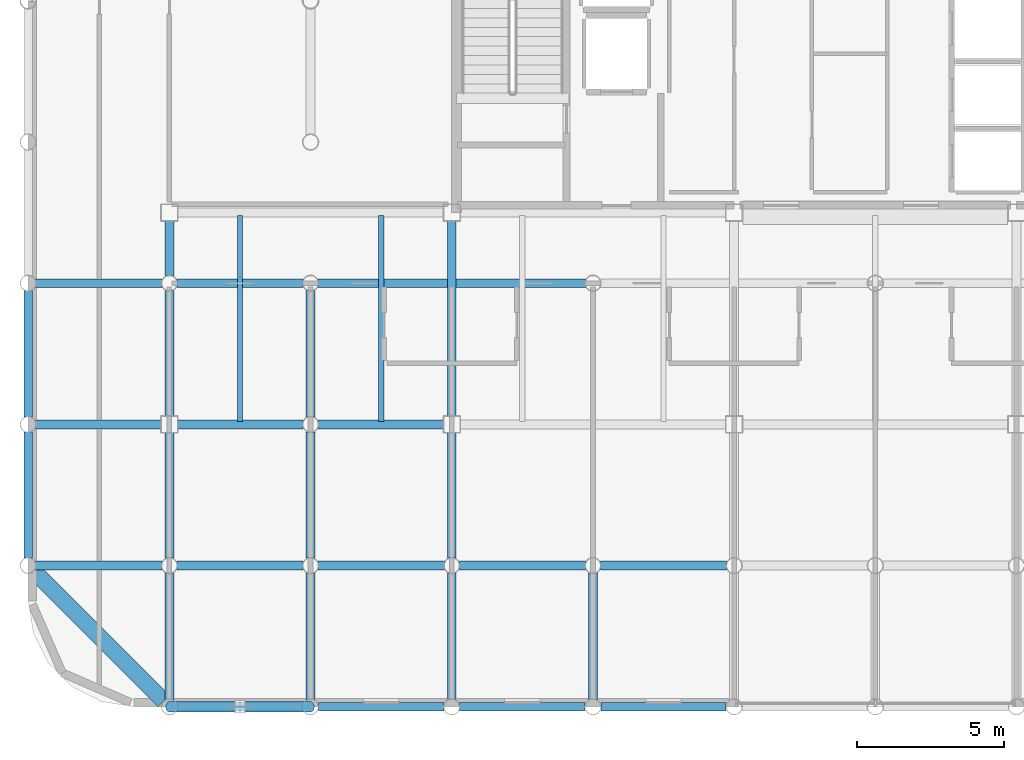
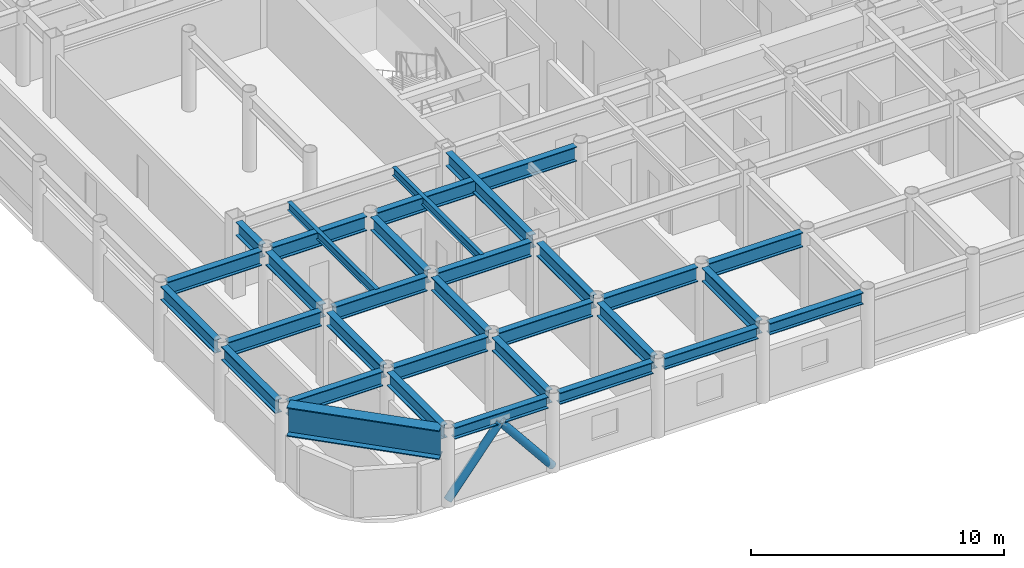
# One storey, part 3 of 23: 31 beams, 2 members.
"""IFC4 building model written with IfcOpenShell, lengths in metres."""

from ifc_helpers import new_model, si_unit, direction, frame, origin, origin_2d, place, context, subcontext, project, spatial, hollow_circle, i_section, extrude, material, material_profile, profile_set, type_object, element, save


model = new_model("IFC4")

# Units and contexts
model_context = context("Model", 3, precision=1e-05, world=origin(), true_north=direction((0.0, 1.0)))
body_context = subcontext(model_context, "Body", "Model", "MODEL_VIEW")
ifc_project = project(units=[si_unit("LENGTHUNIT", "METRE"), si_unit("AREAUNIT", "SQUARE_METRE"), si_unit("VOLUMEUNIT", "CUBIC_METRE"), si_unit("PLANEANGLEUNIT", "RADIAN"), si_unit("MASSUNIT", "GRAM", prefix="KILO")], contexts=[model_context])

# Site, building, storey
site_placement = place(None, origin())
site = spatial("IfcSite", under=ifc_project, at=site_placement, CompositionType="ELEMENT")
building_placement = place(site_placement, origin())
building = spatial("IfcBuilding", under=site, at=building_placement, Name="Kallvorn Hotel Tower", CompositionType="ELEMENT")
storey_placement = place(building_placement, frame((0.0, 0.0, 195.35009765625)))
storey = spatial("IfcBuildingStorey", under=building, at=storey_placement, Name="L48", CompositionType="ELEMENT", Elevation=195.35009765625)

# Beams
ifc_material_1 = material(Name="Structural steel S355JR", Category="steel")
ifc_material_profile_1 = material_profile(ifc_material_1, i_section(OverallWidth=0.300048828125, OverallDepth=0.550048828125, WebThickness=0.014892578125, FlangeThickness=0.029052734375, at=origin_2d()), Name="HE 550 B")
ifc_profile_set_1 = profile_set([ifc_material_profile_1], Name="Structural steel S355JR")
beam_type_1 = type_object("IfcBeamType", Name="BM_HE550B", PredefinedType="SPANDREL", material=ifc_profile_set_1)
for number, where, z_axis, x_axis, name in (
    (1, (-23.73046875, -24.0, 3.39501953125), (1.0, 0.0, 0.0), (0.0, 1.0, 0.0), "L49 Perimeter Spandrel 151"),
    (2, (-18.930419921875, -24.0, 3.39501953125), (1.0, 0.0, 0.0), (0.0, 1.0, 0.0), "L49 Perimeter Spandrel 152"),
):
    element("IfcBeam", number, at=place(storey_placement, frame(where, z_axis=z_axis, x_axis=x_axis)), inside=storey, type_object=beam_type_1, Name=name, PredefinedType="SPANDREL", context=body_context, shape_type="SweptSolid", body=[
        extrude(i_section(OverallWidth=0.300048828125, OverallDepth=0.550048828125, WebThickness=0.014892578125, FlangeThickness=0.029052734375, at=origin_2d()), origin(), (0.0, 0.0, 1.0), 4.260986328125),
    ])
beam_1_placement = place(storey_placement, frame((-14.130615234375, -24.0, 3.39501953125), z_axis=(1.0, 0.0, 0.0), x_axis=(0.0, 1.0, 0.0)))
element("IfcBeam", 3, at=beam_1_placement, inside=storey, type_object=beam_type_1, Name="L49 Perimeter Spandrel 153", PredefinedType="SPANDREL", context=body_context, shape_type="SweptSolid", body=[
    extrude(i_section(OverallWidth=0.300048828125, OverallDepth=0.550048828125, WebThickness=0.014892578125, FlangeThickness=0.029052734375, at=origin_2d()), origin(), (0.0, 0.0, 1.0), 4.26123046875),
])
beam_2_placement = place(storey_placement, frame((-9.33056640625, -24.0, 3.39501953125), z_axis=(1.0, 0.0, 0.0), x_axis=(0.0, 1.0, 0.0)))
element("IfcBeam", 4, at=beam_2_placement, inside=storey, type_object=beam_type_1, Name="L49 Perimeter Spandrel 154", PredefinedType="SPANDREL", context=body_context, shape_type="SweptSolid", body=[
    extrude(i_section(OverallWidth=0.300048828125, OverallDepth=0.550048828125, WebThickness=0.014892578125, FlangeThickness=0.029052734375, at=origin_2d()), origin(), (0.0, 0.0, 1.0), 4.260986328125),
])
ifc_material_2 = material(Name="Structural steel S355JR", Category="steel")
ifc_material_profile_2 = material_profile(ifc_material_2, i_section(OverallWidth=0.300048828125, OverallDepth=0.64990234375, WebThickness=0.01611328125, FlangeThickness=0.031005859375, at=origin_2d()), Name="HE 650 B")
ifc_profile_set_2 = profile_set([ifc_material_profile_2], Name="Structural steel S355JR")
beam_type_2 = type_object("IfcBeamType", Name="BM_HE650B", PredefinedType="BEAM", material=ifc_profile_set_2)
for number, where, z_axis, x_axis, name in (
    (5, (-28.800048828125, -18.945556640625, 3.344970703125), (0.0, 1.0, 0.0), (-1.0, 0.0, 0.0), "L49 Primary Y-Girder 73"),
    (6, (-28.800048828125, -14.1455078125, 3.344970703125), (0.0, 1.0, 0.0), (-1.0, 0.0, 0.0), "L49 Primary Y-Girder 74"),
    (7, (-24.0, -23.74560546875, 3.344970703125), (0.0, 1.0, 0.0), (-1.0, 0.0, 0.0), "L49 Primary Y-Girder 81"),
):
    element("IfcBeam", number, at=place(storey_placement, frame(where, z_axis=z_axis, x_axis=x_axis)), inside=storey, type_object=beam_type_2, Name=name, PredefinedType="BEAM", context=body_context, shape_type="SweptSolid", body=[
        extrude(i_section(OverallWidth=0.300048828125, OverallDepth=0.64990234375, WebThickness=0.01611328125, FlangeThickness=0.031005859375, at=origin_2d()), origin(), (0.0, 0.0, 1.0), 4.291015625),
    ])
for number, where, z_axis, x_axis, name in (
    (8, (-24.0, -18.945556640625, 3.344970703125), (0.0, 1.0, 0.0), (-1.0, 0.0, 0.0), "L49 Primary Y-Girder 82"),
    (9, (-24.0, -14.125, 3.344970703125), (0.0, 1.0, 0.0), (-1.0, 0.0, 0.0), "L49 Primary Y-Girder 83"),
):
    element("IfcBeam", number, at=place(storey_placement, frame(where, z_axis=z_axis, x_axis=x_axis)), inside=storey, type_object=beam_type_2, Name=name, PredefinedType="BEAM", context=body_context, shape_type="SweptSolid", body=[
        extrude(i_section(OverallWidth=0.300048828125, OverallDepth=0.64990234375, WebThickness=0.01611328125, FlangeThickness=0.031005859375, at=origin_2d()), origin(), (0.0, 0.0, 1.0), 4.2705078125),
    ])
beam_3_placement = place(storey_placement, frame((-24.0, -9.345458984375, 3.344970703125), z_axis=(0.0, 1.0, 0.0), x_axis=(-1.0, 0.0, 0.0)))
element("IfcBeam", 10, at=beam_3_placement, inside=storey, type_object=beam_type_2, Name="L49 Primary Y-Girder 84", PredefinedType="BEAM", context=body_context, shape_type="SweptSolid", body=[
    extrude(i_section(OverallWidth=0.300048828125, OverallDepth=0.64990234375, WebThickness=0.01611328125, FlangeThickness=0.031005859375, at=origin_2d()), origin(), (0.0, 0.0, 1.0), 1.870361328125),
])
for number, where, z_axis, x_axis, name in (
    (11, (-19.199951171875, -23.74560546875, 3.344970703125), (0.0, 1.0, 0.0), (-1.0, 0.0, 0.0), "L49 Primary Y-Girder 88"),
    (12, (-19.199951171875, -18.945556640625, 3.344970703125), (0.0, 1.0, 0.0), (-1.0, 0.0, 0.0), "L49 Primary Y-Girder 89"),
    (13, (-19.199951171875, -14.1455078125, 3.344970703125), (0.0, 1.0, 0.0), (-1.0, 0.0, 0.0), "L49 Primary Y-Girder 90"),
    (14, (-14.39990234375, -23.74560546875, 3.344970703125), (0.0, 1.0, 0.0), (-1.0, 0.0, 0.0), "L49 Primary Y-Girder 97"),
):
    element("IfcBeam", number, at=place(storey_placement, frame(where, z_axis=z_axis, x_axis=x_axis)), inside=storey, type_object=beam_type_2, Name=name, PredefinedType="BEAM", context=body_context, shape_type="SweptSolid", body=[
        extrude(i_section(OverallWidth=0.300048828125, OverallDepth=0.64990234375, WebThickness=0.01611328125, FlangeThickness=0.031005859375, at=origin_2d()), origin(), (0.0, 0.0, 1.0), 4.291015625),
    ])
beam_4_placement = place(storey_placement, frame((-14.39990234375, -18.945556640625, 3.344970703125), z_axis=(0.0, 1.0, 0.0), x_axis=(-1.0, 0.0, 0.0)))
element("IfcBeam", 15, at=beam_4_placement, inside=storey, type_object=beam_type_2, Name="L49 Primary Y-Girder 98", PredefinedType="BEAM", context=body_context, shape_type="SweptSolid", body=[
    extrude(i_section(OverallWidth=0.300048828125, OverallDepth=0.64990234375, WebThickness=0.01611328125, FlangeThickness=0.031005859375, at=origin_2d()), origin(), (0.0, 0.0, 1.0), 4.2705078125),
])
beam_5_placement = place(storey_placement, frame((-14.39990234375, -14.125, 3.344970703125), z_axis=(0.0, 1.0, 0.0), x_axis=(-1.0, 0.0, 0.0)))
element("IfcBeam", 16, at=beam_5_placement, inside=storey, type_object=beam_type_2, Name="L49 Primary Y-Girder 99", PredefinedType="BEAM", context=body_context, shape_type="SweptSolid", body=[
    extrude(i_section(OverallWidth=0.300048828125, OverallDepth=0.64990234375, WebThickness=0.01611328125, FlangeThickness=0.031005859375, at=origin_2d()), origin(), (0.0, 0.0, 1.0), 6.64990234375),
])
beam_6_placement = place(storey_placement, frame((-9.60009765625, -23.74560546875, 3.344970703125), z_axis=(0.0, 1.0, 0.0), x_axis=(-1.0, 0.0, 0.0)))
element("IfcBeam", 17, at=beam_6_placement, inside=storey, type_object=beam_type_2, Name="L49 Primary Y-Girder 102", PredefinedType="BEAM", context=body_context, shape_type="SweptSolid", body=[
    extrude(i_section(OverallWidth=0.300048828125, OverallDepth=0.64990234375, WebThickness=0.01611328125, FlangeThickness=0.031005859375, at=origin_2d()), origin(), (0.0, 0.0, 1.0), 4.291015625),
])
ifc_material_3 = material(Name="Structural steel S355JR", Category="steel")
ifc_material_profile_3 = material_profile(ifc_material_3, i_section(OverallWidth=0.300048828125, OverallDepth=0.699951171875, WebThickness=0.01708984375, FlangeThickness=0.031982421875, at=origin_2d()), Name="HE 700 B")
ifc_profile_set_3 = profile_set([ifc_material_profile_3], Name="Structural steel S355JR")
beam_type_3 = type_object("IfcBeamType", Name="BM_HE700B", PredefinedType="BEAM", material=ifc_profile_set_3)
for number, where, z_axis, x_axis, name in (
    (18, (-28.54541015625, -19.199951171875, 3.31982421875), (1.0, 0.0, 0.0), (0.0, 1.0, 0.0), "L49 Primary X-Girder 01"),
    (19, (-23.74560546875, -19.199951171875, 3.31982421875), (1.0, 0.0, 0.0), (0.0, 1.0, 0.0), "L49 Primary X-Girder 02"),
    (20, (-18.945556640625, -19.199951171875, 3.31982421875), (1.0, 0.0, 0.0), (0.0, 1.0, 0.0), "L49 Primary X-Girder 03"),
    (21, (-14.1455078125, -19.199951171875, 3.31982421875), (1.0, 0.0, 0.0), (0.0, 1.0, 0.0), "L49 Primary X-Girder 04"),
    (22, (-9.345458984375, -19.199951171875, 3.31982421875), (1.0, 0.0, 0.0), (0.0, 1.0, 0.0), "L49 Primary X-Girder 05"),
):
    element("IfcBeam", number, at=place(storey_placement, frame(where, z_axis=z_axis, x_axis=x_axis)), inside=storey, type_object=beam_type_3, Name=name, PredefinedType="BEAM", context=body_context, shape_type="SweptSolid", body=[
        extrude(i_section(OverallWidth=0.300048828125, OverallDepth=0.699951171875, WebThickness=0.01708984375, FlangeThickness=0.031982421875, at=origin_2d()), origin(), (0.0, 0.0, 1.0), 4.291015625),
    ])
for number, where, z_axis, x_axis, name in (
    (23, (-28.54541015625, -14.39990234375, 3.31982421875), (1.0, 0.0, 0.0), (0.0, 1.0, 0.0), "L49 Primary X-Girder 14"),
    (24, (-23.72509765625, -14.39990234375, 3.31982421875), (1.0, 0.0, 0.0), (0.0, 1.0, 0.0), "L49 Primary X-Girder 15"),
    (25, (-18.945556640625, -14.39990234375, 3.31982421875), (1.0, 0.0, 0.0), (0.0, 1.0, 0.0), "L49 Primary X-Girder 16"),
):
    element("IfcBeam", number, at=place(storey_placement, frame(where, z_axis=z_axis, x_axis=x_axis)), inside=storey, type_object=beam_type_3, Name=name, PredefinedType="BEAM", context=body_context, shape_type="SweptSolid", body=[
        extrude(i_section(OverallWidth=0.300048828125, OverallDepth=0.699951171875, WebThickness=0.01708984375, FlangeThickness=0.031982421875, at=origin_2d()), origin(), (0.0, 0.0, 1.0), 4.2705078125),
    ])
for number, where, z_axis, x_axis, name in (
    (26, (-28.54541015625, -9.60009765625, 3.31982421875), (1.0, 0.0, 0.0), (0.0, 1.0, 0.0), "L49 Primary X-Girder 24"),
    (27, (-23.74560546875, -9.60009765625, 3.31982421875), (1.0, 0.0, 0.0), (0.0, 1.0, 0.0), "L49 Primary X-Girder 25"),
):
    element("IfcBeam", number, at=place(storey_placement, frame(where, z_axis=z_axis, x_axis=x_axis)), inside=storey, type_object=beam_type_3, Name=name, PredefinedType="BEAM", context=body_context, shape_type="SweptSolid", body=[
        extrude(i_section(OverallWidth=0.300048828125, OverallDepth=0.699951171875, WebThickness=0.01708984375, FlangeThickness=0.031982421875, at=origin_2d()), origin(), (0.0, 0.0, 1.0), 4.291015625),
    ])
beam_7_placement = place(storey_placement, frame((-18.945556640625, -9.60009765625, 3.31982421875), z_axis=(1.0, 0.0, 0.0), x_axis=(0.0, 1.0, 0.0)))
element("IfcBeam", 28, at=beam_7_placement, inside=storey, type_object=beam_type_3, Name="L49 Primary X-Girder 26", PredefinedType="BEAM", context=body_context, shape_type="SweptSolid", body=[
    extrude(i_section(OverallWidth=0.300048828125, OverallDepth=0.699951171875, WebThickness=0.01708984375, FlangeThickness=0.031982421875, at=origin_2d()), origin(), (0.0, 0.0, 1.0), 9.091064453125),
])
ifc_material_4 = material(Name="Structural steel S355JR", Category="steel")
ifc_material_profile_4 = material_profile(ifc_material_4, i_section(OverallWidth=0.179931640625, OverallDepth=0.39990234375, WebThickness=0.008544921875, FlangeThickness=0.013427734375, at=origin_2d()), Name="IPE 400")
ifc_profile_set_4 = profile_set([ifc_material_profile_4], Name="Structural steel S355JR")
beam_type_4 = type_object("IfcBeamType", Name="BM_IPE400", PredefinedType="JOIST", material=ifc_profile_set_4)
for number, where, z_axis, x_axis, name in (
    (29, (-21.60009765625, -14.300048828125, 3.469970703125), (0.0, 1.0, 0.0), (-1.0, 0.0, 0.0), "L49 Secondary Composite Joist 192"),
    (30, (-16.800048828125, -14.300048828125, 3.469970703125), (0.0, 1.0, 0.0), (-1.0, 0.0, 0.0), "L49 Secondary Composite Joist 194"),
):
    element("IfcBeam", number, at=place(storey_placement, frame(where, z_axis=z_axis, x_axis=x_axis)), inside=storey, type_object=beam_type_4, Name=name, PredefinedType="JOIST", context=body_context, shape_type="SweptSolid", body=[
        extrude(i_section(OverallWidth=0.179931640625, OverallDepth=0.39990234375, WebThickness=0.008544921875, FlangeThickness=0.013427734375, at=origin_2d()), origin(), (0.0, 0.0, 1.0), 7.0),
    ])
ifc_material_5 = material(Name="Structural steel S355JR", Category="steel")
ifc_material_profile_5 = material_profile(ifc_material_5, i_section(OverallWidth=0.550048828125, OverallDepth=1.39990234375, WebThickness=0.02490234375, FlangeThickness=0.044921875, at=origin_2d()), Name="PG 1400x550x25x45")
ifc_profile_set_5 = profile_set([ifc_material_profile_5], Name="Structural steel S355JR")
beam_type_5 = type_object("IfcBeamType", Name="BM_PG_1400", PredefinedType="BEAM", material=ifc_profile_set_5)
beam_8_placement = place(storey_placement, frame((-28.609375, -19.390625, 2.969970703125), z_axis=(0.707106781187, -0.707106781187, 0.0), x_axis=(0.707106781187, 0.707106781187, 0.0)))
element("IfcBeam", 31, at=beam_8_placement, inside=storey, type_object=beam_type_5, Name="L49 Rounded Corner Tie Beam 189", PredefinedType="BEAM", context=body_context, shape_type="SweptSolid", body=[
    extrude(i_section(OverallWidth=0.550048828125, OverallDepth=1.39990234375, WebThickness=0.02490234375, FlangeThickness=0.044921875, at=origin_2d()), origin(), (0.0, 0.0, 1.0), 6.2490234375),
])

# Members
ifc_material_6 = material(Name="Structural steel S355J2H", Category="steel")
ifc_material_profile_6 = material_profile(ifc_material_6, hollow_circle(Radius=0.177734375, WallThickness=0.01416015625, at=origin_2d()), Name="CHS 355.6x14.2")
ifc_profile_set_6 = profile_set([ifc_material_profile_6], Name="Structural steel S355J2H")
member_type = type_object("IfcMemberType", Name="MBR_EXO_CHS355", PredefinedType="BRACE", material=ifc_profile_set_6)
for number, where, z_axis, x_axis, name in (
    (32, (-23.987548828125, -24.0, 0.195556640625), (0.627270878626, 0.0, 0.778801158722), (0.0, 1.0, 0.0), "L48 Exoskeleton K-Brace S1A"),
    (33, (-19.21240234375, -24.0, 0.195556640625), (-0.627270878626, 0.0, 0.778801158722), (0.0, -1.0, 0.0), "L48 Exoskeleton K-Brace S1B"),
):
    element("IfcMember", number, at=place(storey_placement, frame(where, z_axis=z_axis, x_axis=x_axis)), inside=storey, type_object=member_type, Name=name, PredefinedType="BRACE", context=body_context, shape_type="SweptSolid", body=[
        extrude(hollow_circle(Radius=0.177734375, WallThickness=0.01416015625, at=origin_2d()), origin(), (0.0, 0.0, 1.0), 3.7861328125),
    ])

save(model, "model.ifc")
